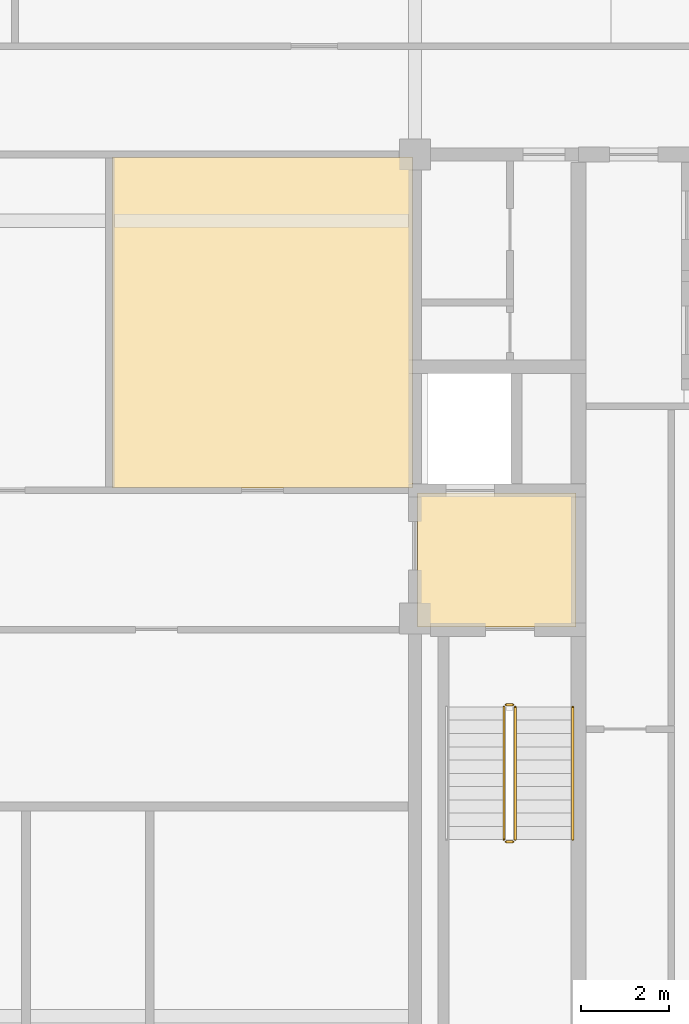
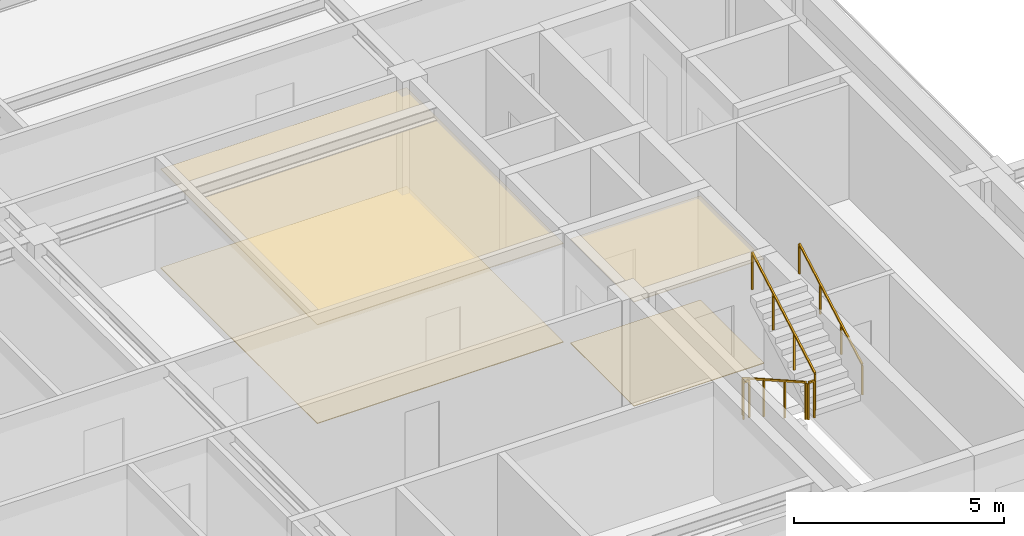
# One storey, part 10 of 11: 5 railings, 4 coverings.
"""IFC4 building model written with IfcOpenShell, lengths in metres."""

from ifc_helpers import new_model, si_unit, direction, frame, origin, origin_2d, place, context, subcontext, project, spatial, polyline, rectangle, outline, extrude, material, layer, layer_set, type_object, element, save


model = new_model("IFC4")

# Units and contexts
model_context = context("Model", 3, precision=1e-05, world=origin(), true_north=direction((0.0, 1.0)))
body_context = subcontext(model_context, "Body", "Model", "MODEL_VIEW")
ifc_project = project(units=[si_unit("LENGTHUNIT", "METRE"), si_unit("AREAUNIT", "SQUARE_METRE"), si_unit("VOLUMEUNIT", "CUBIC_METRE"), si_unit("PLANEANGLEUNIT", "RADIAN"), si_unit("MASSUNIT", "GRAM", prefix="KILO")], contexts=[model_context])

# Site, building, storey
site_placement = place(None, origin())
site = spatial("IfcSite", under=ifc_project, at=site_placement, CompositionType="ELEMENT")
building_placement = place(site_placement, origin())
building = spatial("IfcBuilding", under=site, at=building_placement, Name="Zulmaris Gate Convention Tower", CompositionType="ELEMENT")
storey_placement = place(building_placement, frame((0.0, 0.0, 274.320068359375)))
storey = spatial("IfcBuildingStorey", under=building, at=storey_placement, Name="L73", CompositionType="ELEMENT", Elevation=274.320068359375)

# Coverings
ifc_material_1 = material(Name="Mineral Fibre Acoustic Ceiling Tile")
ifc_layer_1 = layer(ifc_material_1, 0.02001953125, Name="Mineral Fibre Acoustic Ceiling Tile")
ifc_layer_set_1 = layer_set([ifc_layer_1], Name="Mineral Fibre Acoustic Ceiling Tile")
covering_type_1 = type_object("IfcCoveringType", Name="CLG-ACOUSTIC-600", PredefinedType="CEILING", material=ifc_layer_set_1)
covering_1_placement = place(storey_placement, frame((0.0, 0.0, 3.034912109375)))
element("IfcCovering", 1, at=covering_1_placement, inside=storey, type_object=covering_type_1, Name="CLG-L73-R08", PredefinedType="CEILING", context=body_context, shape_type="SweptSolid", body=[
    extrude(outline(polyline([(11.06005859375, -0.18994140625), (14.639892578125, -0.18994140625), (14.639892578125, 2.840087890625), (11.06005859375, 2.840087890625), (11.06005859375, -0.18994140625)])), origin(), (0.0, 0.0, 1.0), 0.02001953125),
])
covering_2_placement = place(storey_placement, frame((0.0, 0.0, 2.873046875)))
element("IfcCovering", 2, at=covering_2_placement, inside=storey, type_object=covering_type_1, Name="CLG-L73-R45", PredefinedType="CEILING", context=body_context, shape_type="SweptSolid", body=[
    extrude(outline(polyline([(4.159912109375, 2.9599609375), (10.93994140625, 2.9599609375), (10.93994140625, 10.43994140625), (4.159912109375, 10.43994140625), (4.159912109375, 2.9599609375)])), origin(), (0.0, 0.0, 1.0), 0.02001953125),
])
ifc_material_2 = material(Name="Woven Acoustic Wool Carpet Tile")
ifc_layer_2 = layer(ifc_material_2, 0.02001953125, Name="Woven Acoustic Wool Carpet Tile")
ifc_layer_set_2 = layer_set([ifc_layer_2], Name="Woven Acoustic Wool Carpet Tile")
covering_type_2 = type_object("IfcCoveringType", Name="FLR-CARPET-12", PredefinedType="FLOORING", material=ifc_layer_set_2)
covering_3_placement = place(storey_placement, origin())
element("IfcCovering", 3, at=covering_3_placement, inside=storey, type_object=covering_type_2, Name="FLR-L73-R08", PredefinedType="FLOORING", context=body_context, shape_type="SweptSolid", body=[
    extrude(outline(polyline([(11.06005859375, -0.18994140625), (14.639892578125, -0.18994140625), (14.639892578125, 2.840087890625), (11.06005859375, 2.840087890625), (11.06005859375, -0.18994140625)])), origin(), (0.0, 0.0, 1.0), 0.02001953125),
])
covering_4_placement = place(storey_placement, origin())
element("IfcCovering", 4, at=covering_4_placement, inside=storey, type_object=covering_type_2, Name="FLR-L73-R45", PredefinedType="FLOORING", context=body_context, shape_type="SweptSolid", body=[
    extrude(outline(polyline([(4.159912109375, 2.9599609375), (10.93994140625, 2.9599609375), (10.93994140625, 10.43994140625), (4.159912109375, 10.43994140625), (4.159912109375, 2.9599609375)])), origin(), (0.0, 0.0, 1.0), 0.02001953125),
])

# Railings
ifc_material_3 = material(Name="Painted Galvanised Steel", Category="steel")
railing_type_1 = type_object("IfcRailingType", Name="RL-STG-1150", PredefinedType="GUARDRAIL", material=ifc_material_3)
railing_1_placement = place(storey_placement, frame((13.010009765625, -2.0, 0.169921875)))
element("IfcRailing", 5, at=railing_1_placement, inside=storey, type_object=railing_type_1, Name="L73 ST-2 stair guard 1", PredefinedType="GUARDRAIL", context=body_context, shape_type="SweptSolid", body=[
    extrude(rectangle(XDim=0.048095703125, YDim=0.048095703125, at=origin_2d()), frame((0.0, 0.0, 1.076171875), z_axis=(0.0, -0.869997889882, 0.493055444754), x_axis=(1.0, 0.0, 0.0)), (0.0, 0.0, 1.0), 3.4482421875),
    extrude(rectangle(XDim=0.0419921875, YDim=0.0419921875, at=origin_2d()), origin(), (0.0, 0.0, 1.0), 1.052001953125),
    extrude(rectangle(XDim=0.0419921875, YDim=0.0419921875, at=origin_2d()), frame((0.0, -1.0, 0.566650390625)), (0.0, 0.0, 1.0), 1.052001953125),
    extrude(rectangle(XDim=0.0419921875, YDim=0.0419921875, at=origin_2d()), frame((0.0, -2.0, 1.133544921875)), (0.0, 0.0, 1.0), 1.052001953125),
    extrude(rectangle(XDim=0.0419921875, YDim=0.0419921875, at=origin_2d()), frame((0.0, -3.0, 1.7001953125)), (0.0, 0.0, 1.0), 1.052001953125),
])
railing_2_placement = place(storey_placement, frame((13.06005859375, -5.050048828125, 1.8701171875)))
element("IfcRailing", 6, at=railing_2_placement, inside=storey, type_object=railing_type_1, Name="L73 ST-2 stair guard 2", PredefinedType="GUARDRAIL", context=body_context, shape_type="SweptSolid", body=[
    extrude(rectangle(XDim=0.048095703125, YDim=0.048095703125, at=origin_2d()), frame((0.0, 0.0, 1.076171875), z_axis=(1.0, 0.0, 0.0), x_axis=(0.0, 1.0, 0.0)), (0.0, 0.0, 1.0), 0.159912109375),
    extrude(rectangle(XDim=0.0419921875, YDim=0.0419921875, at=origin_2d()), origin(), (0.0, 0.0, 1.0), 1.052001953125),
    extrude(rectangle(XDim=0.0419921875, YDim=0.0419921875, at=origin_2d()), frame((0.159912109375, 0.0, 0.0)), (0.0, 0.0, 1.0), 1.052001953125),
])
railing_3_placement = place(storey_placement, frame((13.27001953125, -5.0, 2.0400390625)))
element("IfcRailing", 7, at=railing_3_placement, inside=storey, type_object=railing_type_1, Name="L73 ST-2 stair guard 3", PredefinedType="GUARDRAIL", context=body_context, shape_type="SweptSolid", body=[
    extrude(rectangle(XDim=0.048095703125, YDim=0.048095703125, at=origin_2d()), frame((0.0, 0.0, 1.076171875), z_axis=(0.0, 0.870028259722, 0.493001853226), x_axis=(-1.0, 0.0, 0.0)), (0.0, 0.0, 1.0), 3.4482421875),
    extrude(rectangle(XDim=0.0419921875, YDim=0.0419921875, at=origin_2d()), origin(), (0.0, 0.0, 1.0), 1.052001953125),
    extrude(rectangle(XDim=0.0419921875, YDim=0.0419921875, at=origin_2d()), frame((0.0, 1.0, 0.566650390625)), (0.0, 0.0, 1.0), 1.052001953125),
    extrude(rectangle(XDim=0.0419921875, YDim=0.0419921875, at=origin_2d()), frame((0.0, 2.0, 1.13330078125)), (0.0, 0.0, 1.0), 1.052001953125),
    extrude(rectangle(XDim=0.0419921875, YDim=0.0419921875, at=origin_2d()), frame((0.0, 3.0, 1.699951171875)), (0.0, 0.0, 1.0), 1.052001953125),
])
railing_4_placement = place(storey_placement, frame((13.06005859375, -1.949951171875, 0.0)))
element("IfcRailing", 8, at=railing_4_placement, inside=storey, type_object=railing_type_1, Name="L73 ST-2 stair guard 4", PredefinedType="GUARDRAIL", context=body_context, shape_type="SweptSolid", body=[
    extrude(rectangle(XDim=0.048095703125, YDim=0.048095703125, at=origin_2d()), frame((0.0, 0.0, 1.076171875), z_axis=(1.0, 0.0, 0.0), x_axis=(0.0, 1.0, 0.0)), (0.0, 0.0, 1.0), 0.159912109375),
    extrude(rectangle(XDim=0.0419921875, YDim=0.0419921875, at=origin_2d()), origin(), (0.0, 0.0, 1.0), 1.052001953125),
    extrude(rectangle(XDim=0.0419921875, YDim=0.0419921875, at=origin_2d()), frame((0.159912109375, 0.0, 0.0)), (0.0, 0.0, 1.0), 1.052001953125),
])
ifc_material_4 = material(Name="Brushed Stainless Steel", Category="steel")
railing_type_2 = type_object("IfcRailingType", Name="RL-STH-900", PredefinedType="HANDRAIL", material=ifc_material_4)
railing_5_placement = place(storey_placement, frame((14.570068359375, -5.0, 2.0400390625)))
element("IfcRailing", 9, at=railing_5_placement, inside=storey, type_object=railing_type_2, Name="L73 ST-2 stair handrail 2", PredefinedType="HANDRAIL", context=body_context, shape_type="SweptSolid", body=[
    extrude(rectangle(XDim=0.048095703125, YDim=0.048095703125, at=origin_2d()), frame((0.0, 0.0, 0.8759765625), z_axis=(0.0, 0.870028259722, 0.493001853226), x_axis=(-1.0, 0.0, 0.0)), (0.0, 0.0, 1.0), 3.4482421875),
    extrude(rectangle(XDim=0.0419921875, YDim=0.0419921875, at=origin_2d()), origin(), (0.0, 0.0, 1.0), 0.851806640625),
    extrude(rectangle(XDim=0.0419921875, YDim=0.0419921875, at=origin_2d()), frame((0.0, 1.0, 0.566650390625)), (0.0, 0.0, 1.0), 0.851806640625),
    extrude(rectangle(XDim=0.0419921875, YDim=0.0419921875, at=origin_2d()), frame((0.0, 2.0, 1.13330078125)), (0.0, 0.0, 1.0), 0.851806640625),
    extrude(rectangle(XDim=0.0419921875, YDim=0.0419921875, at=origin_2d()), frame((0.0, 3.0, 1.699951171875)), (0.0, 0.0, 1.0), 0.851806640625),
])

save(model, "model.ifc")
